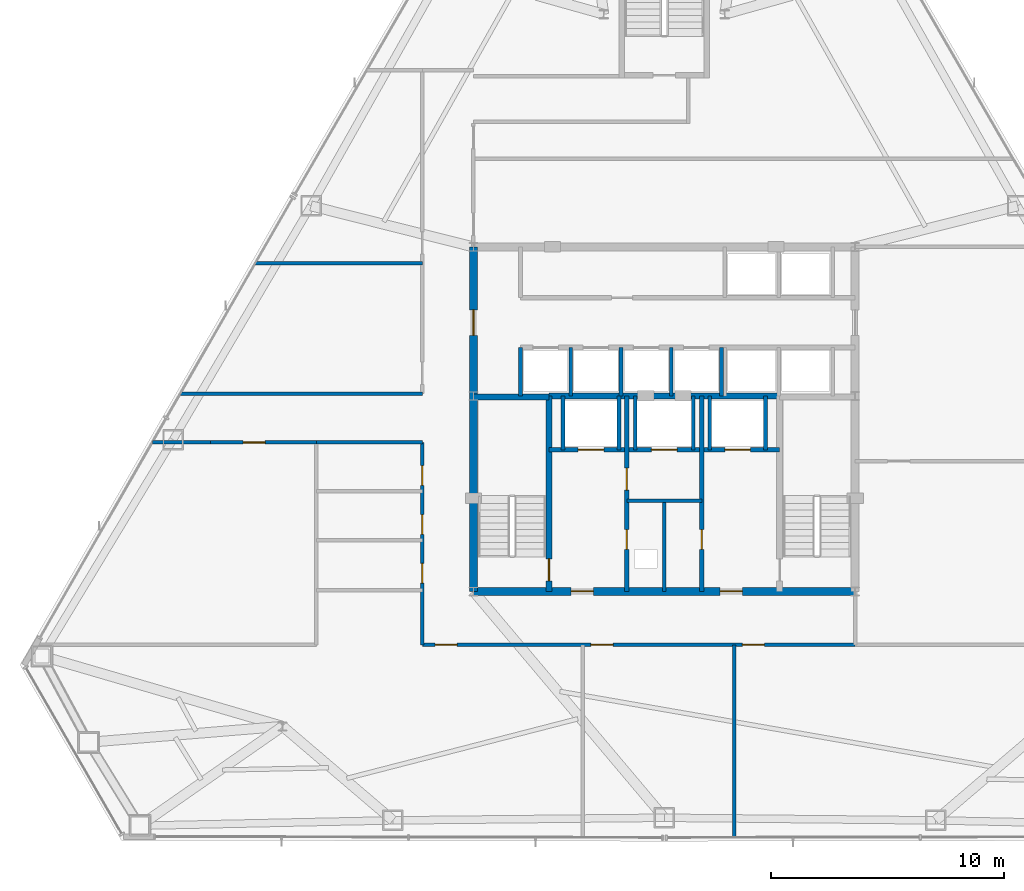
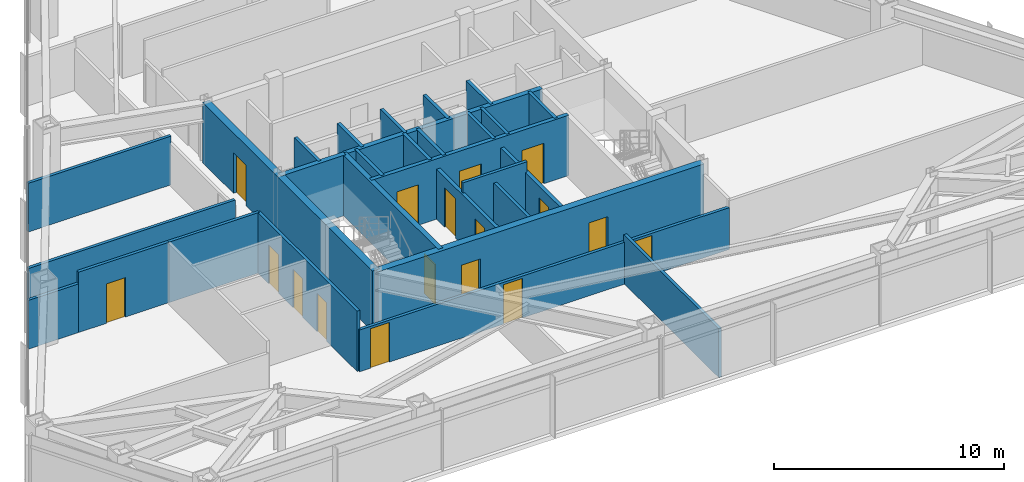
# One storey, part 10 of 13: 29 walls, 17 doors, 17 openings.
"""IFC4 building model written with IfcOpenShell, lengths in metres."""

from ifc_helpers import new_model, si_unit, direction, frame, frame_2d, origin, place, context, subcontext, project, spatial, rectangle, extrude, material, layer, layer_set, type_object, element, fill, save


model = new_model("IFC4")

# Units and contexts
model_context = context("Model", 3, precision=1e-05, world=origin(), true_north=direction((0.0, 1.0)))
body_context = subcontext(model_context, "Body", "Model", "MODEL_VIEW")
ifc_project = project(units=[si_unit("LENGTHUNIT", "METRE"), si_unit("AREAUNIT", "SQUARE_METRE"), si_unit("VOLUMEUNIT", "CUBIC_METRE"), si_unit("PLANEANGLEUNIT", "RADIAN"), si_unit("MASSUNIT", "GRAM", prefix="KILO")], contexts=[model_context])

# Site, building, storey
site_placement = place(None, origin())
site = spatial("IfcSite", under=ifc_project, at=site_placement, CompositionType="ELEMENT")
building_placement = place(site_placement, origin())
building = spatial("IfcBuilding", under=site, at=building_placement, Name="Varakhsha Concourse Tower", CompositionType="ELEMENT")
storey_placement = place(building_placement, frame((0.0, 0.0, 126.35009765625)))
storey = spatial("IfcBuildingStorey", under=building, at=storey_placement, Name="L36", CompositionType="ELEMENT", Elevation=126.35009765625)

# Wall, openings, doors
ifc_material_1 = material(Name="Concrete fc 65 MPa", Category="concrete")
ifc_layer_1 = layer(ifc_material_1, 0.35009765625, Name="WL-CORE-350")
ifc_layer_set_1 = layer_set([ifc_layer_1], Name="Concrete fc 65 MPa")
wall_type_1 = type_object("IfcWallType", Name="WL-CORE-350", PredefinedType="SHEAR", material=ifc_layer_set_1)
wall_1_placement = place(storey_placement, frame((31.800048828125, 16.39990234375, 0.0), z_axis=(0.0, 0.0, 1.0), x_axis=(1.0, 0.0, 0.0)))
wall_1 = element("IfcWall", 1, at=wall_1_placement, inside=storey, type_object=wall_type_1, Name="L36 Wall CWALL-S-L36", PredefinedType="SHEAR", context=body_context, shape_type="SweptSolid", body=[
    extrude(rectangle(XDim=16.39990234375, YDim=0.35009765625, at=frame_2d((8.199951171875, 0.0))), origin(), (0.0, 0.0, 1.0), 3.2099609375),
])
opening_1_placement = place(wall_1_placement, frame((4.199951171875, 0.0, 0.0)))
opening_1 = element("IfcOpeningElement", 2, at=opening_1_placement, cuts=wall_1, Name="Opening DF-05", PredefinedType="OPENING", context=body_context, shape_type="SweptSolid", body=[
    extrude(rectangle(XDim=0.949951171875, YDim=2.10009765625, at=frame_2d((0.47509765625, 1.050048828125))), frame((0.0, 0.18505859375, 0.0), z_axis=(0.0, -1.0, 0.0), x_axis=(1.0, 0.0, 0.0)), (0.0, 0.0, 1.0), 0.3701171875),
])
opening_2_placement = place(wall_1_placement, frame((10.60009765625, 0.0, 0.0)))
opening_2 = element("IfcOpeningElement", 3, at=opening_2_placement, cuts=wall_1, Name="Opening DF-05", PredefinedType="OPENING", context=body_context, shape_type="SweptSolid", body=[
    extrude(rectangle(XDim=0.949951171875, YDim=2.10009765625, at=frame_2d((0.47509765625, 1.050048828125))), frame((0.0, 0.18505859375, 0.0), z_axis=(0.0, -1.0, 0.0), x_axis=(1.0, 0.0, 0.0)), (0.0, 0.0, 1.0), 0.3701171875),
])
ifc_material_2 = material(Name="Hollow Galvanised Steel Fire Door Assembly", Category="steel")
door_type_1 = type_object("IfcDoorType", Name="DR-FD60-950", OperationType="NOTDEFINED", PredefinedType="DOOR", material=ifc_material_2)
door_1_placement = place(opening_1_placement, origin())
door_1 = element("IfcDoor", 4, at=door_1_placement, inside=storey, type_object=door_type_1, Name="L36 Firefighting Lobby West Door", OperationType="SINGLE_SWING_RIGHT", OverallHeight=2.10009765625, OverallWidth=0.949951171875, PredefinedType="DOOR", context=body_context, shape_type="SweptSolid", body=[
    extrude(rectangle(XDim=0.949951171875, YDim=2.10009765625, at=frame_2d((0.47509765625, 1.050048828125))), frame((0.0, 0.02490234375, 0.0), z_axis=(0.0, -1.0, 0.0), x_axis=(1.0, 0.0, 0.0)), (0.0, 0.0, 1.0), 0.050048828125),
])
fill(opening_1, door_1)
door_2_placement = place(opening_2_placement, origin())
door_2 = element("IfcDoor", 5, at=door_2_placement, inside=storey, type_object=door_type_1, Name="L36 Firefighting Lobby East Door", OperationType="SINGLE_SWING_LEFT", OverallHeight=2.10009765625, OverallWidth=0.949951171875, PredefinedType="DOOR", context=body_context, shape_type="SweptSolid", body=[
    extrude(rectangle(XDim=0.949951171875, YDim=2.10009765625, at=frame_2d((0.47509765625, 1.050048828125))), frame((0.0, 0.02490234375, 0.0), z_axis=(0.0, -1.0, 0.0), x_axis=(1.0, 0.0, 0.0)), (0.0, 0.0, 1.0), 0.050048828125),
])
fill(opening_2, door_2)

# Wall, opening, door
wall_2_placement = place(storey_placement, frame((31.800048828125, 16.39990234375, 0.0), z_axis=(0.0, 0.0, 1.0), x_axis=(0.0, 1.0, 0.0)))
wall_2 = element("IfcWall", 6, at=wall_2_placement, inside=storey, type_object=wall_type_1, Name="L36 Wall CWALL-W-L36", PredefinedType="SHEAR", context=body_context, shape_type="SweptSolid", body=[
    extrude(rectangle(XDim=14.800048828125, YDim=0.35009765625, at=frame_2d((7.39990234375, 0.0))), origin(), (0.0, 0.0, 1.0), 3.2099609375),
])
opening_3_placement = place(wall_2_placement, frame((11.0, 0.0, 0.0)))
opening_3 = element("IfcOpeningElement", 7, at=opening_3_placement, cuts=wall_2, Name="Opening DL-01", PredefinedType="OPENING", context=body_context, shape_type="SweptSolid", body=[
    extrude(rectangle(XDim=1.10009765625, YDim=2.14990234375, at=frame_2d((0.550048828125, 1.074951171875))), frame((0.0, 0.18505859375, 0.0), z_axis=(0.0, -1.0, 0.0), x_axis=(1.0, 0.0, 0.0)), (0.0, 0.0, 1.0), 0.3701171875),
])
ifc_material_3 = material(Name="Anodised Bronze Architectural Aluminium AA 6063-T6", Category="aluminium")
door_type_2 = type_object("IfcDoorType", Name="DR-LOB-1100", OperationType="NOTDEFINED", PredefinedType="DOOR", material=ifc_material_3)
door_3_placement = place(opening_3_placement, origin())
door_3 = element("IfcDoor", 8, at=door_3_placement, inside=storey, type_object=door_type_2, Name="L36 Lift Lobby West Concourse Door", OperationType="SINGLE_SWING_LEFT", OverallHeight=2.14990234375, OverallWidth=1.10009765625, PredefinedType="DOOR", context=body_context, shape_type="SweptSolid", body=[
    extrude(rectangle(XDim=1.10009765625, YDim=2.14990234375, at=frame_2d((0.550048828125, 1.074951171875))), frame((0.0, 0.02490234375, 0.0), z_axis=(0.0, -1.0, 0.0), x_axis=(1.0, 0.0, 0.0)), (0.0, 0.0, 1.0), 0.050048828125),
])
fill(opening_3, door_3)

# Wall, openings, doors
ifc_material_4 = material(Name="Fire-Rated Type X Gypsum Partition Assembly", Category="gypsum")
ifc_layer_2 = layer(ifc_material_4, 0.179931640625, Name="WL-FFLOB-180")
ifc_layer_set_2 = layer_set([ifc_layer_2], Name="Fire-Rated Type X Gypsum Partition Assembly")
wall_type_2 = type_object("IfcWallType", Name="WL-FFLOB-180", PredefinedType="PARTITIONING", material=ifc_layer_set_2)
wall_3_placement = place(storey_placement, frame((38.389892578125, 16.39990234375, 0.0), z_axis=(0.0, 0.0, 1.0), x_axis=(0.0, 1.0, 0.0)))
wall_3 = element("IfcWall", 9, at=wall_3_placement, inside=storey, type_object=wall_type_2, Name="L36 Wall FFW-1E-L36", PredefinedType="PARTITIONING", context=body_context, shape_type="SweptSolid", body=[
    extrude(rectangle(XDim=8.400146484375, YDim=0.179931640625, at=frame_2d((4.2001953125, 0.0))), origin(), (0.0, 0.0, 1.0), 2.660888671875),
])
opening_4_placement = place(wall_3_placement, frame((1.800048828125, 0.0, 0.0)))
opening_4 = element("IfcOpeningElement", 10, at=opening_4_placement, cuts=wall_3, Name="Opening DF-07", PredefinedType="OPENING", context=body_context, shape_type="SweptSolid", body=[
    extrude(rectangle(XDim=0.85009765625, YDim=2.050048828125, at=frame_2d((0.425048828125, 1.02490234375))), frame((0.0, 0.099853515625, 0.0), z_axis=(0.0, -1.0, 0.0), x_axis=(1.0, 0.0, 0.0)), (0.0, 0.0, 1.0), 0.199951171875),
])
opening_5_placement = place(wall_3_placement, frame((4.35009765625, 0.0, 0.0)))
opening_5 = element("IfcOpeningElement", 11, at=opening_5_placement, cuts=wall_3, Name="Opening DF-05", PredefinedType="OPENING", context=body_context, shape_type="SweptSolid", body=[
    extrude(rectangle(XDim=0.949951171875, YDim=2.10009765625, at=frame_2d((0.47509765625, 1.050048828125))), frame((0.0, 0.099853515625, 0.0), z_axis=(0.0, -1.0, 0.0), x_axis=(1.0, 0.0, 0.0)), (0.0, 0.0, 1.0), 0.199951171875),
])
door_type_3 = type_object("IfcDoorType", Name="DR-FD60-850", OperationType="NOTDEFINED", PredefinedType="DOOR", material=ifc_material_2)
door_4_placement = place(opening_4_placement, origin())
door_4 = element("IfcDoor", 12, at=door_4_placement, inside=storey, type_object=door_type_3, Name="L36 Power Metering Closet Door", OperationType="SINGLE_SWING_LEFT", OverallHeight=2.050048828125, OverallWidth=0.85009765625, PredefinedType="DOOR", context=body_context, shape_type="SweptSolid", body=[
    extrude(rectangle(XDim=0.85009765625, YDim=2.050048828125, at=frame_2d((0.425048828125, 1.02490234375))), frame((0.0, 0.02490234375, 0.0), z_axis=(0.0, -1.0, 0.0), x_axis=(1.0, 0.0, 0.0)), (0.0, 0.0, 1.0), 0.050048828125),
])
fill(opening_4, door_4)
door_5_placement = place(opening_5_placement, origin())
door_5 = element("IfcDoor", 13, at=door_5_placement, inside=storey, type_object=door_type_1, Name="L36 Service Vestibule Door", OperationType="SINGLE_SWING_RIGHT", OverallHeight=2.10009765625, OverallWidth=0.949951171875, PredefinedType="DOOR", context=body_context, shape_type="SweptSolid", body=[
    extrude(rectangle(XDim=0.949951171875, YDim=2.10009765625, at=frame_2d((0.47509765625, 1.050048828125))), frame((0.0, 0.02490234375, 0.0), z_axis=(0.0, -1.0, 0.0), x_axis=(1.0, 0.0, 0.0)), (0.0, 0.0, 1.0), 0.050048828125),
])
fill(opening_5, door_5)

# Wall, opening, door
wall_4_placement = place(storey_placement, frame((41.610107421875, 16.39990234375, 0.0), z_axis=(0.0, 0.0, 1.0), x_axis=(0.0, 1.0, 0.0)))
wall_4 = element("IfcWall", 14, at=wall_4_placement, inside=storey, type_object=wall_type_2, Name="L36 Wall FFW-2W-L36", PredefinedType="PARTITIONING", context=body_context, shape_type="SweptSolid", body=[
    extrude(rectangle(XDim=8.400146484375, YDim=0.179931640625, at=frame_2d((4.2001953125, 0.0))), origin(), (0.0, 0.0, 1.0), 2.660888671875),
])
opening_6_placement = place(wall_4_placement, frame((1.800048828125, 0.0, 0.0)))
opening_6 = element("IfcOpeningElement", 15, at=opening_6_placement, cuts=wall_4, Name="Opening DF-07", PredefinedType="OPENING", context=body_context, shape_type="SweptSolid", body=[
    extrude(rectangle(XDim=0.85009765625, YDim=2.050048828125, at=frame_2d((0.425048828125, 1.02490234375))), frame((0.0, 0.099853515625, 0.0), z_axis=(0.0, -1.0, 0.0), x_axis=(1.0, 0.0, 0.0)), (0.0, 0.0, 1.0), 0.199951171875),
])
door_6_placement = place(opening_6_placement, origin())
door_6 = element("IfcDoor", 16, at=door_6_placement, inside=storey, type_object=door_type_3, Name="L36 BMS Control Closet Door", OperationType="SINGLE_SWING_RIGHT", OverallHeight=2.050048828125, OverallWidth=0.85009765625, PredefinedType="DOOR", context=body_context, shape_type="SweptSolid", body=[
    extrude(rectangle(XDim=0.85009765625, YDim=2.050048828125, at=frame_2d((0.425048828125, 1.02490234375))), frame((0.0, 0.02490234375, 0.0), z_axis=(0.0, -1.0, 0.0), x_axis=(1.0, 0.0, 0.0)), (0.0, 0.0, 1.0), 0.050048828125),
])
fill(opening_6, door_6)

# Walls
ifc_layer_3 = layer(ifc_material_4, 0.14990234375, Name="WL-PART-150")
ifc_layer_set_3 = layer_set([ifc_layer_3], Name="Fire-Rated Type X Gypsum Partition Assembly")
wall_type_3 = type_object("IfcWallType", Name="WL-PART-150", PredefinedType="PARTITIONING", material=ifc_layer_set_3)
wall_5_placement = place(storey_placement, frame((38.389892578125, 20.300048828125, 0.0), z_axis=(0.0, 0.0, 1.0), x_axis=(1.0, 0.0, 0.0)))
element("IfcWall", 17, at=wall_5_placement, inside=storey, type_object=wall_type_3, Name="L36 Wall RSW-TH-L36", PredefinedType="PARTITIONING", context=body_context, shape_type="SweptSolid", body=[
    extrude(rectangle(XDim=3.22021484375, YDim=0.14990234375, at=frame_2d((1.610107421875, 0.0))), origin(), (0.0, 0.0, 1.0), 3.2099609375),
])
wall_6_placement = place(storey_placement, frame((40.0, 16.39990234375, 0.0), z_axis=(0.0, 0.0, 1.0), x_axis=(0.0, 1.0, 0.0)))
element("IfcWall", 18, at=wall_6_placement, inside=storey, type_object=wall_type_3, Name="L36 Wall RSW-TV-L36", PredefinedType="PARTITIONING", context=body_context, shape_type="SweptSolid", body=[
    extrude(rectangle(XDim=3.900146484375, YDim=0.14990234375, at=frame_2d((1.9501953125, 0.0))), origin(), (0.0, 0.0, 1.0), 2.660888671875),
])

# Wall, openings, doors
wall_7_placement = place(storey_placement, frame((29.60009765625, 14.10009765625, 0.0), z_axis=(0.0, 0.0, 1.0), x_axis=(1.0, 0.0, 0.0)))
wall_7 = element("IfcWall", 19, at=wall_7_placement, inside=storey, type_object=wall_type_3, Name="L36 Wall CRW-S-L36", PredefinedType="PARTITIONING", context=body_context, shape_type="SweptSolid", body=[
    extrude(rectangle(XDim=18.599853515625, YDim=0.14990234375, at=frame_2d((9.2998046875, 0.0))), origin(), (0.0, 0.0, 1.0), 2.224853515625),
])
opening_7_placement = place(wall_7_placement, frame((0.550048828125, 0.0, 0.0)))
opening_7 = element("IfcOpeningElement", 20, at=opening_7_placement, cuts=wall_7, Name="Opening DF-05", PredefinedType="OPENING", context=body_context, shape_type="SweptSolid", body=[
    extrude(rectangle(XDim=0.949951171875, YDim=2.10009765625, at=frame_2d((0.47509765625, 1.050048828125))), frame((0.0, 0.0849609375, 0.0), z_axis=(0.0, -1.0, 0.0), x_axis=(1.0, 0.0, 0.0)), (0.0, 0.0, 1.0), 0.169921875),
])
opening_8_placement = place(wall_7_placement, frame((7.25, 0.0, 0.0)))
opening_8 = element("IfcOpeningElement", 21, at=opening_8_placement, cuts=wall_7, Name="Opening DF-05", PredefinedType="OPENING", context=body_context, shape_type="SweptSolid", body=[
    extrude(rectangle(XDim=0.949951171875, YDim=2.10009765625, at=frame_2d((0.47509765625, 1.050048828125))), frame((0.0, 0.0849609375, 0.0), z_axis=(0.0, -1.0, 0.0), x_axis=(1.0, 0.0, 0.0)), (0.0, 0.0, 1.0), 0.169921875),
])
opening_9_placement = place(wall_7_placement, frame((13.75, 0.0, 0.0)))
opening_9 = element("IfcOpeningElement", 22, at=opening_9_placement, cuts=wall_7, Name="Opening DF-05", PredefinedType="OPENING", context=body_context, shape_type="SweptSolid", body=[
    extrude(rectangle(XDim=0.949951171875, YDim=2.10009765625, at=frame_2d((0.47509765625, 1.050048828125))), frame((0.0, 0.0849609375, 0.0), z_axis=(0.0, -1.0, 0.0), x_axis=(1.0, 0.0, 0.0)), (0.0, 0.0, 1.0), 0.169921875),
])
door_7_placement = place(opening_7_placement, origin())
door_7 = element("IfcDoor", 23, at=door_7_placement, inside=storey, type_object=door_type_1, Name="L36 Project Controls Workroom L36-S1 Door", OperationType="SINGLE_SWING_LEFT", OverallHeight=2.10009765625, OverallWidth=0.949951171875, PredefinedType="DOOR", context=body_context, shape_type="SweptSolid", body=[
    extrude(rectangle(XDim=0.949951171875, YDim=2.10009765625, at=frame_2d((0.47509765625, 1.050048828125))), frame((0.0, 0.02490234375, 0.0), z_axis=(0.0, -1.0, 0.0), x_axis=(1.0, 0.0, 0.0)), (0.0, 0.0, 1.0), 0.050048828125),
])
fill(opening_7, door_7)
door_8_placement = place(opening_8_placement, origin())
door_8 = element("IfcDoor", 24, at=door_8_placement, inside=storey, type_object=door_type_1, Name="L36 Strategic Advisory Office Suite L36-S2 Door", OperationType="SINGLE_SWING_RIGHT", OverallHeight=2.10009765625, OverallWidth=0.949951171875, PredefinedType="DOOR", context=body_context, shape_type="SweptSolid", body=[
    extrude(rectangle(XDim=0.949951171875, YDim=2.10009765625, at=frame_2d((0.47509765625, 1.050048828125))), frame((0.0, 0.02490234375, 0.0), z_axis=(0.0, -1.0, 0.0), x_axis=(1.0, 0.0, 0.0)), (0.0, 0.0, 1.0), 0.050048828125),
])
fill(opening_8, door_8)
door_9_placement = place(opening_9_placement, origin())
door_9 = element("IfcDoor", 25, at=door_9_placement, inside=storey, type_object=door_type_1, Name="L36 Strategic Advisory Office Suite L36-S3 Door", OperationType="SINGLE_SWING_LEFT", OverallHeight=2.10009765625, OverallWidth=0.949951171875, PredefinedType="DOOR", context=body_context, shape_type="SweptSolid", body=[
    extrude(rectangle(XDim=0.949951171875, YDim=2.10009765625, at=frame_2d((0.47509765625, 1.050048828125))), frame((0.0, 0.02490234375, 0.0), z_axis=(0.0, -1.0, 0.0), x_axis=(1.0, 0.0, 0.0)), (0.0, 0.0, 1.0), 0.050048828125),
])
fill(opening_9, door_9)

wall_8_placement = place(storey_placement, frame((29.60009765625, 14.10009765625, 0.0), z_axis=(0.0, 0.0, 1.0), x_axis=(0.0, 1.0, 0.0)))
wall_8 = element("IfcWall", 26, at=wall_8_placement, inside=storey, type_object=wall_type_3, Name="L36 Wall CRW-WS-L36", PredefinedType="PARTITIONING", context=body_context, shape_type="SweptSolid", body=[
    extrude(rectangle(XDim=8.699951171875, YDim=0.14990234375, at=frame_2d((4.35009765625, 0.0))), origin(), (0.0, 0.0, 1.0), 3.2099609375),
])
opening_10_placement = place(wall_8_placement, frame((2.64990234375, 0.0, 0.0)))
opening_10 = element("IfcOpeningElement", 27, at=opening_10_placement, cuts=wall_8, Name="Opening DF-07", PredefinedType="OPENING", context=body_context, shape_type="SweptSolid", body=[
    extrude(rectangle(XDim=0.85009765625, YDim=2.050048828125, at=frame_2d((0.425048828125, 1.02490234375))), frame((0.0, 0.0849609375, 0.0), z_axis=(0.0, -1.0, 0.0), x_axis=(1.0, 0.0, 0.0)), (0.0, 0.0, 1.0), 0.169921875),
])
opening_11_placement = place(wall_8_placement, frame((4.75, 0.0, 0.0)))
opening_11 = element("IfcOpeningElement", 28, at=opening_11_placement, cuts=wall_8, Name="Opening DF-07", PredefinedType="OPENING", context=body_context, shape_type="SweptSolid", body=[
    extrude(rectangle(XDim=0.85009765625, YDim=2.050048828125, at=frame_2d((0.425048828125, 1.02490234375))), frame((0.0, 0.0849609375, 0.0), z_axis=(0.0, -1.0, 0.0), x_axis=(1.0, 0.0, 0.0)), (0.0, 0.0, 1.0), 0.169921875),
])
opening_12_placement = place(wall_8_placement, frame((6.85009765625, 0.0, 0.0)))
opening_12 = element("IfcOpeningElement", 29, at=opening_12_placement, cuts=wall_8, Name="Opening DF-07", PredefinedType="OPENING", context=body_context, shape_type="SweptSolid", body=[
    extrude(rectangle(XDim=0.85009765625, YDim=2.050048828125, at=frame_2d((0.425048828125, 1.02490234375))), frame((0.0, 0.0849609375, 0.0), z_axis=(0.0, -1.0, 0.0), x_axis=(1.0, 0.0, 0.0)), (0.0, 0.0, 1.0), 0.169921875),
])
door_10_placement = place(opening_10_placement, origin())
door_10 = element("IfcDoor", 30, at=door_10_placement, inside=storey, type_object=door_type_3, Name="L36 Men Restroom WC Door", OperationType="SINGLE_SWING_LEFT", OverallHeight=2.050048828125, OverallWidth=0.85009765625, PredefinedType="DOOR", context=body_context, shape_type="SweptSolid", body=[
    extrude(rectangle(XDim=0.85009765625, YDim=2.050048828125, at=frame_2d((0.425048828125, 1.02490234375))), frame((0.0, 0.02490234375, 0.0), z_axis=(0.0, -1.0, 0.0), x_axis=(1.0, 0.0, 0.0)), (0.0, 0.0, 1.0), 0.050048828125),
])
fill(opening_10, door_10)
door_11_placement = place(opening_11_placement, origin())
door_11 = element("IfcDoor", 31, at=door_11_placement, inside=storey, type_object=door_type_3, Name="L36 Women Restroom WC Door", OperationType="SINGLE_SWING_LEFT", OverallHeight=2.050048828125, OverallWidth=0.85009765625, PredefinedType="DOOR", context=body_context, shape_type="SweptSolid", body=[
    extrude(rectangle(XDim=0.85009765625, YDim=2.050048828125, at=frame_2d((0.425048828125, 1.02490234375))), frame((0.0, 0.02490234375, 0.0), z_axis=(0.0, -1.0, 0.0), x_axis=(1.0, 0.0, 0.0)), (0.0, 0.0, 1.0), 0.050048828125),
])
fill(opening_11, door_11)
door_12_placement = place(opening_12_placement, origin())
door_12 = element("IfcDoor", 32, at=door_12_placement, inside=storey, type_object=door_type_3, Name="L36 Accessible WC Door", OperationType="SINGLE_SWING_LEFT", OverallHeight=2.050048828125, OverallWidth=0.85009765625, PredefinedType="DOOR", context=body_context, shape_type="SweptSolid", body=[
    extrude(rectangle(XDim=0.85009765625, YDim=2.050048828125, at=frame_2d((0.425048828125, 1.02490234375))), frame((0.0, 0.02490234375, 0.0), z_axis=(0.0, -1.0, 0.0), x_axis=(1.0, 0.0, 0.0)), (0.0, 0.0, 1.0), 0.050048828125),
])
fill(opening_12, door_12)

# Walls
wall_9_placement = place(storey_placement, frame((17.997802734375, 22.800048828125, 0.0), z_axis=(0.0, 0.0, 1.0), x_axis=(1.0, 0.0, 0.0)))
element("IfcWall", 33, at=wall_9_placement, inside=storey, type_object=wall_type_3, Name="L36 Wall CRW-WWS-W-L36", PredefinedType="PARTITIONING", context=body_context, shape_type="SweptSolid", body=[
    extrude(rectangle(XDim=2.502197265625, YDim=0.14990234375, at=frame_2d((1.2509765625, 0.0))), origin(), (0.0, 0.0, 1.0), 2.5888671875),
])
wall_10_placement = place(storey_placement, frame((25.050048828125, 22.800048828125, 0.0), z_axis=(0.0, 0.0, 1.0), x_axis=(1.0, 0.0, 0.0)))
element("IfcWall", 34, at=wall_10_placement, inside=storey, type_object=wall_type_3, Name="L36 Wall CRW-WWS-E-L36", PredefinedType="PARTITIONING", context=body_context, shape_type="SweptSolid", body=[
    extrude(rectangle(XDim=4.550048828125, YDim=0.14990234375, at=frame_2d((2.27490234375, 0.0))), origin(), (0.0, 0.0, 1.0), 3.2099609375),
])
wall_11_placement = place(storey_placement, frame((19.20556640625, 24.89990234375, 0.0), z_axis=(0.0, 0.0, 1.0), x_axis=(1.0, 0.0, 0.0)))
element("IfcWall", 35, at=wall_11_placement, inside=storey, type_object=wall_type_3, Name="L36 Wall CRW-WWN-L36", PredefinedType="PARTITIONING", context=body_context, shape_type="SweptSolid", body=[
    extrude(rectangle(XDim=10.39453125, YDim=0.14990234375, at=frame_2d((5.197265625, 0.0))), origin(), (0.0, 0.0, 1.0), 2.5888671875),
])
wall_12_placement = place(storey_placement, frame((43.0, 5.82958984375, 0.0), z_axis=(0.0, 0.0, 1.0), x_axis=(0.0, 1.0, 0.0)))
element("IfcWall", 36, at=wall_12_placement, inside=storey, type_object=wall_type_3, Name="L36 Wall ODIV-S2-L36", PredefinedType="PARTITIONING", context=body_context, shape_type="SweptSolid", body=[
    extrude(rectangle(XDim=8.2705078125, YDim=0.14990234375, at=frame_2d((4.13525390625, 0.0))), origin(), (0.0, 0.0, 1.0), 2.5888671875),
])

# Wall, opening, door
wall_13_placement = place(storey_placement, frame((20.5, 22.800048828125, 0.0), z_axis=(0.0, 0.0, 1.0), x_axis=(1.0, 0.0, 0.0)))
wall_13 = element("IfcWall", 37, at=wall_13_placement, inside=storey, type_object=wall_type_3, Name="L36 Wall CRW-WWS-DOOR-L36", PredefinedType="PARTITIONING", context=body_context, shape_type="SweptSolid", body=[
    extrude(rectangle(XDim=4.550048828125, YDim=0.14990234375, at=frame_2d((2.27490234375, 0.0))), origin(), (0.0, 0.0, 1.0), 3.2099609375),
])
opening_13_placement = place(wall_13_placement, frame((1.39990234375, 0.0, 0.0)))
opening_13 = element("IfcOpeningElement", 38, at=opening_13_placement, cuts=wall_13, Name="Opening DF-05", PredefinedType="OPENING", context=body_context, shape_type="SweptSolid", body=[
    extrude(rectangle(XDim=0.949951171875, YDim=2.10009765625, at=frame_2d((0.47509765625, 1.050048828125))), frame((0.0, 0.0849609375, 0.0), z_axis=(0.0, -1.0, 0.0), x_axis=(1.0, 0.0, 0.0)), (0.0, 0.0, 1.0), 0.169921875),
])
door_13_placement = place(opening_13_placement, origin())
door_13 = element("IfcDoor", 39, at=door_13_placement, inside=storey, type_object=door_type_1, Name="L36 Client Briefing Studio L36-SW Door", OperationType="SINGLE_SWING_LEFT", OverallHeight=2.10009765625, OverallWidth=0.949951171875, PredefinedType="DOOR", context=body_context, shape_type="SweptSolid", body=[
    extrude(rectangle(XDim=0.949951171875, YDim=2.10009765625, at=frame_2d((0.47509765625, 1.050048828125))), frame((0.0, 0.02490234375, 0.0), z_axis=(0.0, -1.0, 0.0), x_axis=(1.0, 0.0, 0.0)), (0.0, 0.0, 1.0), 0.050048828125),
])
fill(opening_13, door_13)

# Wall
wall_14_placement = place(storey_placement, frame((22.425537109375, 30.5, 0.0), z_axis=(0.0, 0.0, 1.0), x_axis=(1.0, 0.0, 0.0)))
element("IfcWall", 40, at=wall_14_placement, inside=storey, type_object=wall_type_3, Name="L36 Wall ODIV-W1-L36", PredefinedType="PARTITIONING", context=body_context, shape_type="SweptSolid", body=[
    extrude(rectangle(XDim=7.174560546875, YDim=0.14990234375, at=frame_2d((3.58740234375, 0.0))), origin(), (0.0, 0.0, 1.0), 2.5888671875),
])

# Wall, openings, doors
ifc_layer_4 = layer(ifc_material_4, 0.199951171875, Name="WL-SHAFT-220")
ifc_layer_set_4 = layer_set([ifc_layer_4], Name="Fire-Rated Type X Gypsum Partition Assembly")
wall_type_4 = type_object("IfcWallType", Name="WL-SHAFT-220", PredefinedType="SOLIDWALL", material=ifc_layer_set_4)
wall_15_placement = place(storey_placement, frame((35.044921875, 22.47998046875, 0.0), z_axis=(0.0, 0.0, 1.0), x_axis=(1.0, 0.0, 0.0)))
wall_15 = element("IfcWall", 41, at=wall_15_placement, inside=storey, type_object=wall_type_4, Name="L36 Wall FFW-NH-L36", PredefinedType="SOLIDWALL", context=body_context, shape_type="SweptSolid", body=[
    extrude(rectangle(XDim=9.91015625, YDim=0.199951171875, at=frame_2d((4.955078125, 0.0))), origin(), (0.0, 0.0, 1.0), 3.2099609375),
])
opening_14_placement = place(wall_15_placement, frame((1.2548828125, 0.0, 0.0)))
opening_14 = element("IfcOpeningElement", 42, at=opening_14_placement, cuts=wall_15, Name="Opening LD-FFL-1", PredefinedType="OPENING", context=body_context, shape_type="SweptSolid", body=[
    extrude(rectangle(XDim=1.10009765625, YDim=2.14990234375, at=frame_2d((0.550048828125, 1.074951171875))), frame((0.0, 0.10986328125, 0.0), z_axis=(0.0, -1.0, 0.0), x_axis=(1.0, 0.0, 0.0)), (0.0, 0.0, 1.0), 0.219970703125),
])
opening_15_placement = place(wall_15_placement, frame((7.554931640625, 0.0, 0.0)))
opening_15 = element("IfcOpeningElement", 43, at=opening_15_placement, cuts=wall_15, Name="Opening LD-FFL-2", PredefinedType="OPENING", context=body_context, shape_type="SweptSolid", body=[
    extrude(rectangle(XDim=1.10009765625, YDim=2.14990234375, at=frame_2d((0.550048828125, 1.074951171875))), frame((0.0, 0.10986328125, 0.0), z_axis=(0.0, -1.0, 0.0), x_axis=(1.0, 0.0, 0.0)), (0.0, 0.0, 1.0), 0.219970703125),
])
opening_16_placement = place(wall_15_placement, frame((4.405029296875, 0.0, 0.0)))
opening_16 = element("IfcOpeningElement", 44, at=opening_16_placement, cuts=wall_15, Name="Opening LD-SVL-1", PredefinedType="OPENING", context=body_context, shape_type="SweptSolid", body=[
    extrude(rectangle(XDim=1.10009765625, YDim=2.14990234375, at=frame_2d((0.550048828125, 1.074951171875))), frame((0.0, 0.10986328125, 0.0), z_axis=(0.0, -1.0, 0.0), x_axis=(1.0, 0.0, 0.0)), (0.0, 0.0, 1.0), 0.219970703125),
])
ifc_material_5 = material(Name="Brushed Austenitic Stainless Steel AISI 316", Category="steel")
door_type_4 = type_object("IfcDoorType", Name="DR-LD-1100", OperationType="DOUBLE_DOOR_SLIDING", PredefinedType="DOOR", material=ifc_material_5)
door_14_placement = place(opening_14_placement, origin())
door_14 = element("IfcDoor", 45, at=door_14_placement, inside=storey, type_object=door_type_4, Name="Lift Landing Door FFL-1 L36", OperationType="DOUBLE_DOOR_SLIDING", OverallHeight=2.14990234375, OverallWidth=1.10009765625, PredefinedType="DOOR", context=body_context, shape_type="SweptSolid", body=[
    extrude(rectangle(XDim=1.10009765625, YDim=2.14990234375, at=frame_2d((0.550048828125, 1.074951171875))), frame((0.0, 0.02490234375, 0.0), z_axis=(0.0, -1.0, 0.0), x_axis=(1.0, 0.0, 0.0)), (0.0, 0.0, 1.0), 0.050048828125),
])
fill(opening_14, door_14)
door_15_placement = place(opening_15_placement, origin())
door_15 = element("IfcDoor", 46, at=door_15_placement, inside=storey, type_object=door_type_4, Name="Lift Landing Door FFL-2 L36", OperationType="DOUBLE_DOOR_SLIDING", OverallHeight=2.14990234375, OverallWidth=1.10009765625, PredefinedType="DOOR", context=body_context, shape_type="SweptSolid", body=[
    extrude(rectangle(XDim=1.10009765625, YDim=2.14990234375, at=frame_2d((0.550048828125, 1.074951171875))), frame((0.0, 0.02490234375, 0.0), z_axis=(0.0, -1.0, 0.0), x_axis=(1.0, 0.0, 0.0)), (0.0, 0.0, 1.0), 0.050048828125),
])
fill(opening_15, door_15)
door_16_placement = place(opening_16_placement, origin())
door_16 = element("IfcDoor", 47, at=door_16_placement, inside=storey, type_object=door_type_4, Name="Lift Landing Door SVL-1 L36", OperationType="DOUBLE_DOOR_SLIDING", OverallHeight=2.14990234375, OverallWidth=1.10009765625, PredefinedType="DOOR", context=body_context, shape_type="SweptSolid", body=[
    extrude(rectangle(XDim=1.10009765625, YDim=2.14990234375, at=frame_2d((0.550048828125, 1.074951171875))), frame((0.0, 0.02490234375, 0.0), z_axis=(0.0, -1.0, 0.0), x_axis=(1.0, 0.0, 0.0)), (0.0, 0.0, 1.0), 0.050048828125),
])
fill(opening_16, door_16)

# Walls
for number, where, z_axis, x_axis, name in (
    (48, (35.64990234375, 22.47998046875, 0.0), (0.0, 0.0, 1.0), (0.0, 1.0, 0.0), "L36 Wall SHW-FFL-1-W-L36"),
    (49, (38.050048828125, 22.47998046875, 0.0), (0.0, 0.0, 1.0), (0.0, 1.0, 0.0), "L36 Wall SHW-FFL-1-E-L36"),
    (50, (41.949951171875, 22.47998046875, 0.0), (0.0, 0.0, 1.0), (0.0, 1.0, 0.0), "L36 Wall SHW-FFL-2-W-L36"),
    (51, (44.35009765625, 22.47998046875, 0.0), (0.0, 0.0, 1.0), (0.0, 1.0, 0.0), "L36 Wall SHW-FFL-2-E-L36"),
    (52, (38.75, 22.47998046875, 0.0), (0.0, 0.0, 1.0), (0.0, 1.0, 0.0), "L36 Wall SHW-SVL-1-W-L36"),
    (53, (41.25, 22.47998046875, 0.0), (0.0, 0.0, 1.0), (0.0, 1.0, 0.0), "L36 Wall SHW-SVL-1-E-L36"),
):
    element("IfcWall", number, at=place(storey_placement, frame(where, z_axis=z_axis, x_axis=x_axis)), inside=storey, type_object=wall_type_4, Name=name, PredefinedType="SOLIDWALL", context=body_context, shape_type="SweptSolid", body=[
        extrude(rectangle(XDim=2.320068359375, YDim=0.159912109375, at=frame_2d((1.16015625, 0.0))), origin(), (0.0, 0.0, 1.0), 3.2099609375),
    ])
for number, where, z_axis, x_axis, name in (
    (54, (33.820068359375, 24.800048828125, 0.0), (0.0, 0.0, 1.0), (0.0, 1.0, 0.0), "L36 Wall WBOH-E2-L36"),
    (55, (35.97998046875, 24.800048828125, 0.0), (0.0, 0.0, 1.0), (0.0, 1.0, 0.0), "L36 Wall SHW-LF-P05-E-L36"),
    (56, (38.139892578125, 24.800048828125, 0.0), (0.0, 0.0, 1.0), (0.0, 1.0, 0.0), "L36 Wall SHW-LF-P06-E-L36"),
    (57, (40.300048828125, 24.800048828125, 0.0), (0.0, 0.0, 1.0), (0.0, 1.0, 0.0), "L36 Wall SHW-LF-P07-E-L36"),
    (58, (42.4599609375, 24.800048828125, 0.0), (0.0, 0.0, 1.0), (0.0, 1.0, 0.0), "L36 Wall SHW-LF-P08-E-L36"),
):
    element("IfcWall", number, at=place(storey_placement, frame(where, z_axis=z_axis, x_axis=x_axis)), inside=storey, type_object=wall_type_4, Name=name, PredefinedType="SOLIDWALL", context=body_context, shape_type="SweptSolid", body=[
        extrude(rectangle(XDim=2.079833984375, YDim=0.159912109375, at=frame_2d((1.0400390625, 0.0))), origin(), (0.0, 0.0, 1.0), 3.2099609375),
    ])

# Wall, opening, door
ifc_material_6 = material(Name="Concrete fc 45 MPa", Category="concrete")
ifc_layer_5 = layer(ifc_material_6, 0.25, Name="WL-STAIR-250")
ifc_layer_set_5 = layer_set([ifc_layer_5], Name="Concrete fc 45 MPa")
wall_type_5 = type_object("IfcWallType", Name="WL-STAIR-250", PredefinedType="SHEAR", material=ifc_layer_set_5)
wall_16_placement = place(storey_placement, frame((35.044921875, 16.39990234375, 0.0), z_axis=(0.0, 0.0, 1.0), x_axis=(0.0, 1.0, 0.0)))
wall_16 = element("IfcWall", 59, at=wall_16_placement, inside=storey, type_object=wall_type_5, Name="L36 Wall SWALL-ST1-E-L36", PredefinedType="SHEAR", context=body_context, shape_type="SweptSolid", body=[
    extrude(rectangle(XDim=8.400146484375, YDim=0.25, at=frame_2d((4.2001953125, 0.0))), origin(), (0.0, 0.0, 1.0), 3.2099609375),
])
opening_17_placement = place(wall_16_placement, frame((0.449951171875, 0.0, 0.0)))
opening_17 = element("IfcOpeningElement", 60, at=opening_17_placement, cuts=wall_16, Name="Opening DF-03", PredefinedType="OPENING", context=body_context, shape_type="SweptSolid", body=[
    extrude(rectangle(XDim=0.949951171875, YDim=2.10009765625, at=frame_2d((0.47509765625, 1.050048828125))), frame((0.0, 0.135009765625, 0.0), z_axis=(0.0, -1.0, 0.0), x_axis=(1.0, 0.0, 0.0)), (0.0, 0.0, 1.0), 0.27001953125),
])
door_type_5 = type_object("IfcDoorType", Name="DR-FD90-950", OperationType="NOTDEFINED", PredefinedType="DOOR", material=ifc_material_2)
door_17_placement = place(opening_17_placement, origin())
door_17 = element("IfcDoor", 61, at=door_17_placement, inside=storey, type_object=door_type_5, Name="L36 Stair ST1 Fire Door", OperationType="SINGLE_SWING_LEFT", OverallHeight=2.10009765625, OverallWidth=0.949951171875, PredefinedType="DOOR", context=body_context, shape_type="SweptSolid", body=[
    extrude(rectangle(XDim=0.949951171875, YDim=2.10009765625, at=frame_2d((0.47509765625, 1.050048828125))), frame((0.0, 0.02490234375, 0.0), z_axis=(0.0, -1.0, 0.0), x_axis=(1.0, 0.0, 0.0)), (0.0, 0.0, 1.0), 0.050048828125),
])
fill(opening_17, door_17)

# Walls
wall_17_placement = place(storey_placement, frame((31.800048828125, 24.7548828125, 0.0), z_axis=(0.0, 0.0, 1.0), x_axis=(1.0, 0.0, 0.0)))
element("IfcWall", 62, at=wall_17_placement, inside=storey, type_object=wall_type_5, Name="L36 Wall SWALL-ST1-N-L36", PredefinedType="SHEAR", context=body_context, shape_type="SweptSolid", body=[
    extrude(rectangle(XDim=3.244873046875, YDim=0.25, at=frame_2d((1.62255859375, 0.0))), origin(), (0.0, 0.0, 1.0), 3.2099609375),
])
wall_18_placement = place(storey_placement, frame((35.044921875, 24.800048828125, 0.0), z_axis=(0.0, 0.0, 1.0), x_axis=(1.0, 0.0, 0.0)))
element("IfcWall", 63, at=wall_18_placement, inside=storey, type_object=wall_type_5, Name="L36 Wall SWALL-MID-H-L36", PredefinedType="SHEAR", context=body_context, shape_type="SweptSolid", body=[
    extrude(rectangle(XDim=9.91015625, YDim=0.25, at=frame_2d((4.955078125, 0.0))), origin(), (0.0, 0.0, 1.0), 3.2099609375),
])

save(model, "model.ifc")
